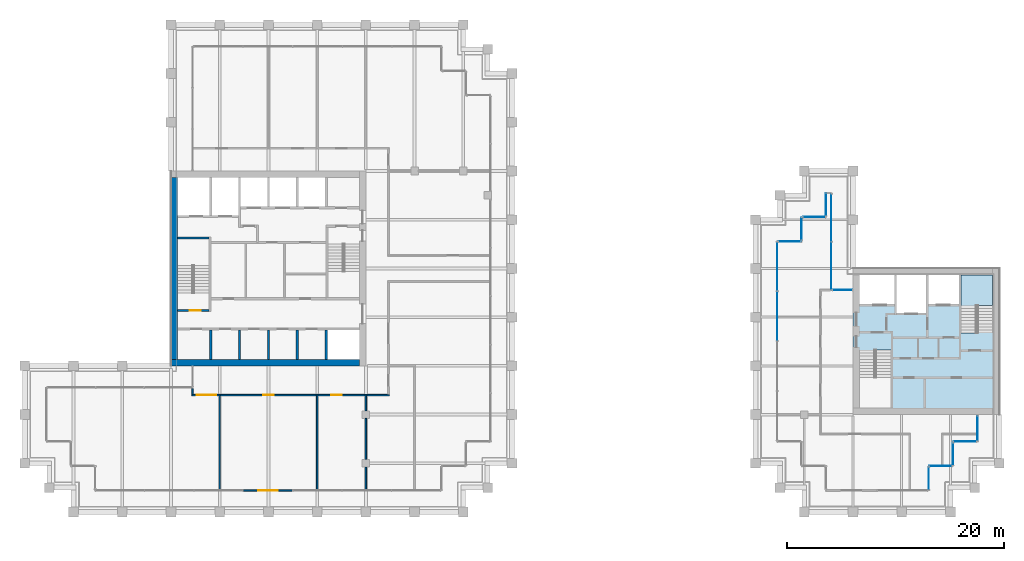
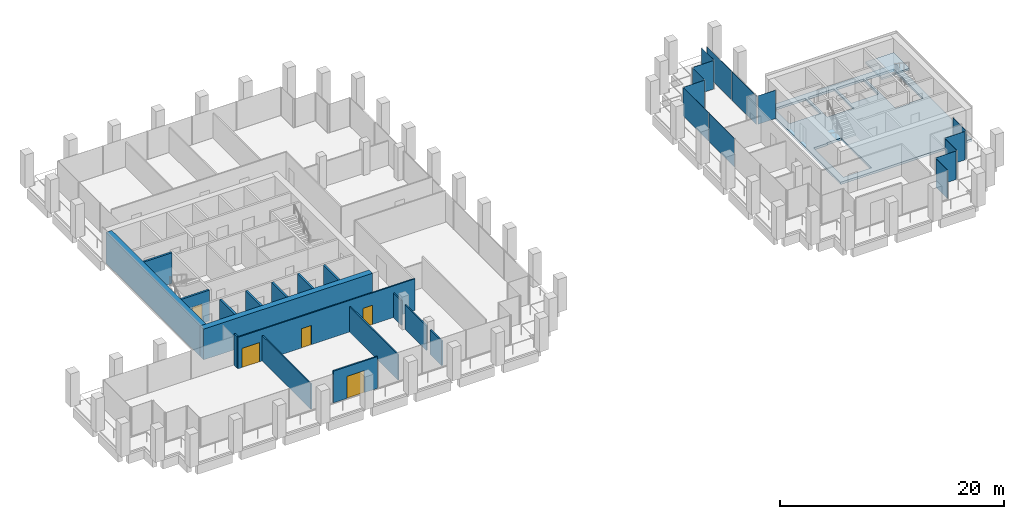
# One storey, part 35 of 40: 17 walls, 14 plates, 5 doors, 2 slabs, 5 openings, 13 elements without a shape of their own.
"""IFC4 building model written with IfcOpenShell, lengths in metres."""

from ifc_helpers import new_model, si_unit, direction, frame, frame_2d, origin, origin_2d, place, context, subcontext, project, spatial, polyline, rectangle, outline, extrude, material, layer, layer_set, type_object, element, fill, aggregate, save


model = new_model("IFC4")

# Units and contexts
model_context = context("Model", 3, precision=1e-05, world=origin(), true_north=direction((0.0, 1.0)))
body_context = subcontext(model_context, "Body", "Model", "MODEL_VIEW")
ifc_project = project(units=[si_unit("LENGTHUNIT", "METRE"), si_unit("AREAUNIT", "SQUARE_METRE"), si_unit("VOLUMEUNIT", "CUBIC_METRE"), si_unit("PLANEANGLEUNIT", "RADIAN"), si_unit("MASSUNIT", "GRAM", prefix="KILO")], contexts=[model_context])

# Site, building, storey
site_placement = place(None, origin())
site = spatial("IfcSite", under=ifc_project, at=site_placement, CompositionType="ELEMENT")
building_placement = place(site_placement, origin())
building = spatial("IfcBuilding", under=site, at=building_placement, Name="Altepetl Exchange Towers", CompositionType="ELEMENT")
storey_placement = place(building_placement, frame((0.0, 0.0, 169.0)))
storey = spatial("IfcBuildingStorey", under=building, at=storey_placement, Name="L42", CompositionType="ELEMENT", Elevation=169.0)

# Slab
ifc_material_1 = material(Name="Concrete C40/50", Category="concrete")
ifc_layer_1 = layer(ifc_material_1, 0.25)
ifc_layer_set_1 = layer_set([ifc_layer_1], Name="Concrete C40/50")
slab_type_1 = type_object("IfcSlabType", Name="Core floor slab 250", PredefinedType="FLOOR", material=ifc_layer_set_1)
slab_1_placement = place(storey_placement, frame((0.0, 0.0, -0.25)))
element("IfcSlab", 1, at=slab_1_placement, inside=storey, type_object=slab_type_1, Name="slab:B:L42:core0", PredefinedType="FLOOR", context=body_context, shape_type="SweptSolid", body=[
    extrude(outline(polyline([(103.5, 36.0), (117.0, 36.0), (117.0, 49.5), (103.5, 49.5), (103.5, 36.0)]), holes=[polyline([(107.0, 36.60009765625), (104.10009765625, 36.60009765625), (104.10009765625, 41.85009765625), (105.5, 41.85009765625), (105.5, 41.948974609375), (107.0, 41.948974609375), (107.0, 36.60009765625)]), polyline([(113.5, 48.89990234375), (116.39990234375, 48.89990234375), (116.39990234375, 43.64990234375), (115.0, 43.64990234375), (115.0, 43.551025390625), (113.5, 43.551025390625), (113.5, 48.89990234375)]), polyline([(107.532958984375, 45.39990234375), (107.532958984375, 48.89990234375), (110.26708984375, 48.89990234375), (110.26708984375, 45.39990234375), (107.532958984375, 45.39990234375)]), polyline([(104.10009765625, 48.89990234375), (107.3330078125, 48.89990234375), (107.3330078125, 46.199951171875), (104.10009765625, 46.199951171875), (104.10009765625, 48.89990234375)]), polyline([(110.467041015625, 48.89990234375), (113.300048828125, 48.89990234375), (113.300048828125, 46.199951171875), (110.467041015625, 46.199951171875), (110.467041015625, 48.89990234375)])]), origin(), (0.0, 0.0, 1.0), 0.25),
])

# Curtain wall, plate
ifc_material_2 = material(Name="Aluminium 6063-T6 glazing", Category="aluminium")
curtain_wall_type = type_object("IfcCurtainWallType", Name="Loggia glazing system", PredefinedType="NOTDEFINED", material=ifc_material_2)
curtain_wall_1_placement = place(storey_placement, origin())
curtain_wall_1 = element("IfcCurtainWall", 2, at=curtain_wall_1_placement, inside=storey, type_object=curtain_wall_type, Name="CW1 run", PredefinedType="NOTDEFINED")
ifc_material_3 = material(Name="Glass 6-16-6 low emissivity", Category="glass")
ifc_layer_2 = layer(ifc_material_3, 0.028076171875)
ifc_layer_set_2 = layer_set([ifc_layer_2], Name="Glass 6-16-6 low emissivity")
plate_type = type_object("IfcPlateType", Name="Glass panel 28 double glazed", PredefinedType="CURTAIN_PANEL", material=ifc_layer_set_2)
plate_1_placement = place(storey_placement, frame((110.5, 30.08740234375, 0.0), z_axis=(0.0, 0.0, 1.0), x_axis=(0.0, 1.0, 0.0)))
plate_1 = element("IfcPlate", 3, at=plate_1_placement, type_object=plate_type, Name="GP1 panel", PredefinedType="CURTAIN_PANEL", context=body_context, shape_type="SweptSolid", body=[
    extrude(rectangle(XDim=2.054931640625, YDim=0.028076171875, at=origin_2d()), origin(), (0.0, 0.0, 1.0), 3.10009765625),
])
aggregate(curtain_wall_1, [plate_1])

curtain_wall_2_placement = place(storey_placement, origin())
curtain_wall_2 = element("IfcCurtainWall", 4, at=curtain_wall_2_placement, inside=storey, type_object=curtain_wall_type, Name="CW1 run", PredefinedType="NOTDEFINED")
plate_2_placement = place(storey_placement, frame((111.58740234375, 31.25, 0.0)))
plate_2 = element("IfcPlate", 5, at=plate_2_placement, type_object=plate_type, Name="GP1 panel", PredefinedType="CURTAIN_PANEL", context=body_context, shape_type="SweptSolid", body=[
    extrude(rectangle(XDim=2.054931640625, YDim=0.028076171875, at=origin_2d()), origin(), (0.0, 0.0, 1.0), 3.10009765625),
])
aggregate(curtain_wall_2, [plate_2])

curtain_wall_3_placement = place(storey_placement, origin())
curtain_wall_3 = element("IfcCurtainWall", 6, at=curtain_wall_3_placement, inside=storey, type_object=curtain_wall_type, Name="CW1 run", PredefinedType="NOTDEFINED")
plate_3_placement = place(storey_placement, frame((112.75, 32.33740234375, 0.0), z_axis=(0.0, 0.0, 1.0), x_axis=(0.0, 1.0, 0.0)))
plate_3 = element("IfcPlate", 7, at=plate_3_placement, type_object=plate_type, Name="GP1 panel", PredefinedType="CURTAIN_PANEL", context=body_context, shape_type="SweptSolid", body=[
    extrude(rectangle(XDim=2.054931640625, YDim=0.028076171875, at=origin_2d()), origin(), (0.0, 0.0, 1.0), 3.10009765625),
])
aggregate(curtain_wall_3, [plate_3])

curtain_wall_4_placement = place(storey_placement, origin())
curtain_wall_4 = element("IfcCurtainWall", 8, at=curtain_wall_4_placement, inside=storey, type_object=curtain_wall_type, Name="CW1 run", PredefinedType="NOTDEFINED")
plate_4_placement = place(storey_placement, frame((113.83740234375, 33.5, 0.0)))
plate_4 = element("IfcPlate", 9, at=plate_4_placement, type_object=plate_type, Name="GP1 panel", PredefinedType="CURTAIN_PANEL", context=body_context, shape_type="SweptSolid", body=[
    extrude(rectangle(XDim=2.054931640625, YDim=0.028076171875, at=origin_2d()), origin(), (0.0, 0.0, 1.0), 3.10009765625),
])
aggregate(curtain_wall_4, [plate_4])

curtain_wall_5_placement = place(storey_placement, origin())
curtain_wall_5 = element("IfcCurtainWall", 10, at=curtain_wall_5_placement, inside=storey, type_object=curtain_wall_type, Name="CW1 run", PredefinedType="NOTDEFINED")
plate_5_placement = place(storey_placement, frame((115.0, 34.71240234375, 0.0), z_axis=(0.0, 0.0, 1.0), x_axis=(0.0, 1.0, 0.0)))
plate_5 = element("IfcPlate", 11, at=plate_5_placement, type_object=plate_type, Name="GP1 panel", PredefinedType="CURTAIN_PANEL", context=body_context, shape_type="SweptSolid", body=[
    extrude(rectangle(XDim=2.304931640625, YDim=0.028076171875, at=origin_2d()), origin(), (0.0, 0.0, 1.0), 3.10009765625),
])
aggregate(curtain_wall_5, [plate_5])

curtain_wall_6_placement = place(storey_placement, origin())
curtain_wall_6 = element("IfcCurtainWall", 12, at=curtain_wall_6_placement, inside=storey, type_object=curtain_wall_type, Name="CW1 run", PredefinedType="NOTDEFINED")
plate_6_placement = place(storey_placement, frame((102.53759765625, 47.5, 0.0), z_axis=(0.0, 0.0, 1.0), x_axis=(-1.0, 0.0, 0.0)))
plate_6 = element("IfcPlate", 13, at=plate_6_placement, type_object=plate_type, Name="GP1 panel", PredefinedType="CURTAIN_PANEL", context=body_context, shape_type="SweptSolid", body=[
    extrude(rectangle(XDim=1.804931640625, YDim=0.028076171875, at=origin_2d()), origin(), (0.0, 0.0, 1.0), 3.10009765625),
])
aggregate(curtain_wall_6, [plate_6])

# Curtain wall, plates
curtain_wall_7_placement = place(storey_placement, origin())
curtain_wall_7 = element("IfcCurtainWall", 14, at=curtain_wall_7_placement, inside=storey, type_object=curtain_wall_type, Name="CW1 run", PredefinedType="NOTDEFINED")
plate_7_placement = place(storey_placement, frame((101.5, 49.746337890625, 0.0), z_axis=(0.0, 0.0, 1.0), x_axis=(0.0, 1.0, 0.0)))
plate_7 = element("IfcPlate", 15, at=plate_7_placement, type_object=plate_type, Name="GP1 panel", PredefinedType="CURTAIN_PANEL", context=body_context, shape_type="SweptSolid", body=[
    extrude(rectangle(XDim=4.37255859375, YDim=0.028076171875, at=origin_2d()), origin(), (0.0, 0.0, 1.0), 3.10009765625),
])
plate_8_placement = place(storey_placement, frame((101.5, 54.1787109375, 0.0), z_axis=(0.0, 0.0, 1.0), x_axis=(0.0, 1.0, 0.0)))
plate_8 = element("IfcPlate", 16, at=plate_8_placement, type_object=plate_type, Name="GP1 panel", PredefinedType="CURTAIN_PANEL", context=body_context, shape_type="SweptSolid", body=[
    extrude(rectangle(XDim=4.37255859375, YDim=0.028076171875, at=origin_2d()), origin(), (0.0, 0.0, 1.0), 3.10009765625),
])
aggregate(curtain_wall_7, [plate_7, plate_8])

# Curtain wall, plate
curtain_wall_8_placement = place(storey_placement, origin())
curtain_wall_8 = element("IfcCurtainWall", 17, at=curtain_wall_8_placement, inside=storey, type_object=curtain_wall_type, Name="CW1 run", PredefinedType="NOTDEFINED")
plate_9_placement = place(storey_placement, frame((101.0, 55.41259765625, 0.0), z_axis=(0.0, 0.0, 1.0), x_axis=(0.0, -1.0, 0.0)))
plate_9 = element("IfcPlate", 18, at=plate_9_placement, type_object=plate_type, Name="GP1 panel", PredefinedType="CURTAIN_PANEL", context=body_context, shape_type="SweptSolid", body=[
    extrude(rectangle(XDim=2.054931640625, YDim=0.028076171875, at=origin_2d()), origin(), (0.0, 0.0, 1.0), 3.10009765625),
])
aggregate(curtain_wall_8, [plate_9])

curtain_wall_9_placement = place(storey_placement, origin())
curtain_wall_9 = element("IfcCurtainWall", 19, at=curtain_wall_9_placement, inside=storey, type_object=curtain_wall_type, Name="CW1 run", PredefinedType="NOTDEFINED")
plate_10_placement = place(storey_placement, frame((99.91259765625, 54.25, 0.0), z_axis=(0.0, 0.0, 1.0), x_axis=(-1.0, 0.0, 0.0)))
plate_10 = element("IfcPlate", 20, at=plate_10_placement, type_object=plate_type, Name="GP1 panel", PredefinedType="CURTAIN_PANEL", context=body_context, shape_type="SweptSolid", body=[
    extrude(rectangle(XDim=2.054931640625, YDim=0.028076171875, at=origin_2d()), origin(), (0.0, 0.0, 1.0), 3.10009765625),
])
aggregate(curtain_wall_9, [plate_10])

curtain_wall_10_placement = place(storey_placement, origin())
curtain_wall_10 = element("IfcCurtainWall", 21, at=curtain_wall_10_placement, inside=storey, type_object=curtain_wall_type, Name="CW1 run", PredefinedType="NOTDEFINED")
plate_11_placement = place(storey_placement, frame((98.75, 53.16259765625, 0.0), z_axis=(0.0, 0.0, 1.0), x_axis=(0.0, -1.0, 0.0)))
plate_11 = element("IfcPlate", 22, at=plate_11_placement, type_object=plate_type, Name="GP1 panel", PredefinedType="CURTAIN_PANEL", context=body_context, shape_type="SweptSolid", body=[
    extrude(rectangle(XDim=2.054931640625, YDim=0.028076171875, at=origin_2d()), origin(), (0.0, 0.0, 1.0), 3.10009765625),
])
aggregate(curtain_wall_10, [plate_11])

curtain_wall_11_placement = place(storey_placement, origin())
curtain_wall_11 = element("IfcCurtainWall", 23, at=curtain_wall_11_placement, inside=storey, type_object=curtain_wall_type, Name="CW1 run", PredefinedType="NOTDEFINED")
plate_12_placement = place(storey_placement, frame((97.66259765625, 52.0, 0.0), z_axis=(0.0, 0.0, 1.0), x_axis=(-1.0, 0.0, 0.0)))
plate_12 = element("IfcPlate", 24, at=plate_12_placement, type_object=plate_type, Name="GP1 panel", PredefinedType="CURTAIN_PANEL", context=body_context, shape_type="SweptSolid", body=[
    extrude(rectangle(XDim=2.054931640625, YDim=0.028076171875, at=origin_2d()), origin(), (0.0, 0.0, 1.0), 3.10009765625),
])
aggregate(curtain_wall_11, [plate_12])

# Curtain wall, plates
curtain_wall_12_placement = place(storey_placement, origin())
curtain_wall_12 = element("IfcCurtainWall", 25, at=curtain_wall_12_placement, inside=storey, type_object=curtain_wall_type, Name="CW1 run", PredefinedType="NOTDEFINED")
plate_13_placement = place(storey_placement, frame((96.5, 49.681884765625, 0.0), z_axis=(0.0, 0.0, 1.0), x_axis=(0.0, -1.0, 0.0)))
plate_13 = element("IfcPlate", 26, at=plate_13_placement, type_object=plate_type, Name="GP1 panel", PredefinedType="CURTAIN_PANEL", context=body_context, shape_type="SweptSolid", body=[
    extrude(rectangle(XDim=4.516357421875, YDim=0.028076171875, at=origin_2d()), origin(), (0.0, 0.0, 1.0), 3.10009765625),
])
plate_14_placement = place(storey_placement, frame((96.5, 45.090576171875, 0.0), z_axis=(0.0, 0.0, 1.0), x_axis=(0.0, -1.0, 0.0)))
plate_14 = element("IfcPlate", 27, at=plate_14_placement, type_object=plate_type, Name="GP1 panel", PredefinedType="CURTAIN_PANEL", context=body_context, shape_type="SweptSolid", body=[
    extrude(rectangle(XDim=4.546142578125, YDim=0.028076171875, at=origin_2d()), origin(), (0.0, 0.0, 1.0), 3.10009765625),
])
aggregate(curtain_wall_12, [plate_13, plate_14])

# Stair, slab
stair_type = type_object("IfcStairType", Name="Exit stair 1400 flights dogleg", PredefinedType="HALF_TURN_STAIR", material=ifc_material_1)
stair_placement = place(storey_placement, origin())
stair = element("IfcStair", 28, at=stair_placement, inside=storey, type_object=stair_type, Name="Exit stair 2", PredefinedType="HALF_TURN_STAIR")
ifc_layer_3 = layer(ifc_material_1, 0.199951171875)
ifc_layer_set_3 = layer_set([ifc_layer_3], Name="Concrete C40/50")
slab_type_2 = type_object("IfcSlabType", Name="Stair landing 200 reinforced concrete", PredefinedType="LANDING", material=ifc_layer_set_3)
slab_2_placement = place(storey_placement, frame((0.0, 0.0, 1.60009765625)))
slab_2 = element("IfcSlab", 29, at=slab_2_placement, type_object=slab_type_2, Name="ST-B2e landing 1", PredefinedType="LANDING", context=body_context, shape_type="SweptSolid", body=[
    extrude(outline(polyline([(114.89990234375, 45.969970703125), (113.5, 45.969970703125), (113.5, 46.070068359375), (113.5, 48.89990234375), (116.39990234375, 48.89990234375), (116.39990234375, 46.070068359375), (116.39990234375, 46.0693359375), (115.0, 46.0693359375), (115.0, 46.070068359375), (114.89990234375, 46.070068359375), (114.89990234375, 45.969970703125)])), origin(), (0.0, 0.0, 1.0), 0.199951171875),
])
aggregate(stair, [slab_2])

# Walls
ifc_material_4 = material(Name="Concrete C70/85", Category="concrete")
ifc_layer_4 = layer(ifc_material_4, 0.60009765625)
ifc_layer_set_4 = layer_set([ifc_layer_4], Name="Concrete C70/85")
wall_type_1 = type_object("IfcWallType", Name="Core wall 600 reinforced concrete", PredefinedType="SHEAR", material=ifc_layer_set_4)
wall_1_placement = place(storey_placement, frame((40.5, 40.800048828125, 0.0)))
element("IfcWall", 30, at=wall_1_placement, inside=storey, type_object=wall_type_1, Name="wall:A:L42:K-coreS", PredefinedType="SHEAR", context=body_context, shape_type="SweptSolid", body=[
    extrude(rectangle(XDim=17.39990234375, YDim=0.60009765625, at=frame_2d((8.699951171875, 0.0))), origin(), (0.0, 0.0, 1.0), 3.35009765625),
])
ifc_layer_5 = layer(ifc_material_4, 0.60009765625)
ifc_layer_set_5 = layer_set([ifc_layer_5], Name="Concrete C70/85")
wall_type_2 = type_object("IfcWallType", Name="Core wall 600 reinforced concrete external", PredefinedType="SHEAR", material=ifc_layer_set_5)
wall_2_placement = place(storey_placement, frame((40.800048828125, 41.10009765625, 0.0), z_axis=(0.0, 0.0, 1.0), x_axis=(0.0, 1.0, 0.0)))
element("IfcWall", 31, at=wall_2_placement, inside=storey, type_object=wall_type_2, Name="wall:A:L42:K-coreW", PredefinedType="SHEAR", context=body_context, shape_type="SweptSolid", body=[
    extrude(rectangle(XDim=16.7998046875, YDim=0.60009765625, at=frame_2d((8.39990234375, 0.0))), origin(), (0.0, 0.0, 1.0), 3.35009765625),
])

# Wall, opening, door
ifc_material_5 = material(Name="Aluminium composite cladding", Category="aluminium")
ifc_layer_6 = layer(ifc_material_5, 0.14990234375)
ifc_layer_set_6 = layer_set([ifc_layer_6], Name="Aluminium composite cladding")
wall_type_3 = type_object("IfcWallType", Name="Infill wall 150 aluminium panel", PredefinedType="SOLIDWALL", material=ifc_layer_set_6)
wall_3_placement = place(storey_placement, frame((47.18212890625, 29.0, 0.0)))
wall_3 = element("IfcWall", 32, at=wall_3_placement, inside=storey, type_object=wall_type_3, Name="Loggia door bay wall", PredefinedType="SOLIDWALL", context=body_context, shape_type="SweptSolid", body=[
    extrude(rectangle(XDim=4.560791015625, YDim=0.14990234375, at=frame_2d((2.2802734375, 0.0))), origin(), (0.0, 0.0, 1.0), 3.449951171875),
])
opening_1_placement = place(wall_3_placement, frame((1.38037109375, 0.0, 0.0)))
opening_1 = element("IfcOpeningElement", 33, at=opening_1_placement, cuts=wall_3, Name="Opening L42.A90", PredefinedType="OPENING", context=body_context, shape_type="SweptSolid", body=[
    extrude(rectangle(XDim=1.800048828125, YDim=2.39990234375, at=frame_2d((0.89990234375, 1.199951171875))), frame((0.0, 0.0849609375, 0.0), z_axis=(0.0, -1.0, 0.0), x_axis=(1.0, 0.0, 0.0)), (0.0, 0.0, 1.0), 0.169921875),
])
ifc_material_6 = material(Name="Aluminium 6063-T6 and glass", Category="aluminium")
door_type_1 = type_object("IfcDoorType", Name="Glazed door pair 1800x2400", OperationType="DOUBLE_DOOR_DOUBLE_SWING", PredefinedType="NOTDEFINED", material=ifc_material_6)
door_1_placement = place(opening_1_placement, frame((1.800048828125, 0.0, 0.0), x_axis=(-1.0, 0.0, 0.0)))
door_1 = element("IfcDoor", 34, at=door_1_placement, inside=storey, type_object=door_type_1, Name="Loggia door", OperationType="DOUBLE_DOOR_DOUBLE_SWING", OverallHeight=2.39990234375, OverallWidth=1.800048828125, PredefinedType="NOTDEFINED", context=body_context, shape_type="SweptSolid", body=[
    extrude(rectangle(XDim=1.800048828125, YDim=2.39990234375, at=frame_2d((0.89990234375, 1.199951171875))), frame((0.0, 0.02490234375, 0.0), z_axis=(0.0, -1.0, 0.0), x_axis=(1.0, 0.0, 0.0)), (0.0, 0.0, 1.0), 0.050048828125),
])
fill(opening_1, door_1)

# Wall, openings, doors
ifc_material_7 = material(Name="Gypsum board on steel studs", Category="steel")
ifc_layer_7 = layer(ifc_material_7, 0.125)
ifc_layer_set_7 = layer_set([ifc_layer_7], Name="Gypsum board on steel studs")
wall_type_4 = type_object("IfcWallType", Name="Partition 125 gypsum board on steel studs", PredefinedType="PARTITIONING", material=ifc_layer_set_7)
wall_4_placement = place(storey_placement, frame((42.4375, 37.800048828125, 0.0)))
wall_4 = element("IfcWall", 35, at=wall_4_placement, inside=storey, type_object=wall_type_4, Name="wall:A:L42:P01", PredefinedType="PARTITIONING", context=body_context, shape_type="SweptSolid", body=[
    extrude(rectangle(XDim=18.22509765625, YDim=0.125, at=frame_2d((9.112548828125, 0.0))), origin(), (0.0, 0.0, 1.0), 3.449951171875),
])
opening_2_placement = place(wall_4_placement, frame((6.5625, 0.0, 0.0)))
opening_2 = element("IfcOpeningElement", 36, at=opening_2_placement, cuts=wall_4, Name="Opening L42.A01", PredefinedType="OPENING", context=body_context, shape_type="SweptSolid", body=[
    extrude(rectangle(XDim=1.0, YDim=2.10009765625, at=frame_2d((0.5, 1.050048828125))), frame((0.0, 0.072509765625, 0.0), z_axis=(0.0, -1.0, 0.0), x_axis=(1.0, 0.0, 0.0)), (0.0, 0.0, 1.0), 0.14501953125),
])
opening_3_placement = place(wall_4_placement, frame((12.857421875, 0.0, 0.0)))
opening_3 = element("IfcOpeningElement", 37, at=opening_3_placement, cuts=wall_4, Name="Opening L42.A02", PredefinedType="OPENING", context=body_context, shape_type="SweptSolid", body=[
    extrude(rectangle(XDim=1.0, YDim=2.10009765625, at=frame_2d((0.5, 1.050048828125))), frame((0.0, 0.072509765625, 0.0), z_axis=(0.0, -1.0, 0.0), x_axis=(1.0, 0.0, 0.0)), (0.0, 0.0, 1.0), 0.14501953125),
])
opening_4_placement = place(wall_4_placement, frame((0.429443359375, 0.0, 0.0)))
opening_4 = element("IfcOpeningElement", 38, at=opening_4_placement, cuts=wall_4, Name="Opening L42.A03", PredefinedType="OPENING", context=body_context, shape_type="SweptSolid", body=[
    extrude(rectangle(XDim=1.800048828125, YDim=2.10009765625, at=frame_2d((0.89990234375, 1.050048828125))), frame((0.0, 0.072509765625, 0.0), z_axis=(0.0, -1.0, 0.0), x_axis=(1.0, 0.0, 0.0)), (0.0, 0.0, 1.0), 0.14501953125),
])
ifc_material_8 = material(Name="Steel and timber fire door", Category="steel")
door_type_2 = type_object("IfcDoorType", Name="Fire door 1000 x 2100 single leaf", OperationType="SINGLE_SWING_LEFT", PredefinedType="DOOR", material=ifc_material_8)
door_2_placement = place(opening_2_placement, frame((1.0, 0.0, 0.0), x_axis=(-1.0, 0.0, 0.0)))
door_2 = element("IfcDoor", 39, at=door_2_placement, inside=storey, type_object=door_type_2, Name="door:A:L42:01", OperationType="SINGLE_SWING_LEFT", OverallHeight=2.10009765625, OverallWidth=1.0, PredefinedType="DOOR", context=body_context, shape_type="SweptSolid", body=[
    extrude(rectangle(XDim=1.0, YDim=2.10009765625, at=frame_2d((0.5, 1.050048828125))), frame((0.0, 0.02490234375, 0.0), z_axis=(0.0, -1.0, 0.0), x_axis=(1.0, 0.0, 0.0)), (0.0, 0.0, 1.0), 0.050048828125),
])
fill(opening_2, door_2)
door_3_placement = place(opening_3_placement, frame((1.0, 0.0, 0.0), x_axis=(-1.0, 0.0, 0.0)))
door_3 = element("IfcDoor", 40, at=door_3_placement, inside=storey, type_object=door_type_2, Name="door:A:L42:02", OperationType="SINGLE_SWING_RIGHT", OverallHeight=2.10009765625, OverallWidth=1.0, PredefinedType="DOOR", context=body_context, shape_type="SweptSolid", body=[
    extrude(rectangle(XDim=1.0, YDim=2.10009765625, at=frame_2d((0.5, 1.050048828125))), frame((0.0, 0.02490234375, 0.0), z_axis=(0.0, -1.0, 0.0), x_axis=(1.0, 0.0, 0.0)), (0.0, 0.0, 1.0), 0.050048828125),
])
fill(opening_3, door_3)
door_type_3 = type_object("IfcDoorType", Name="Fire door 1800 x 2100 double leaf", OperationType="DOUBLE_DOOR_SINGLE_SWING", PredefinedType="DOOR", material=ifc_material_8)
door_4_placement = place(opening_4_placement, frame((1.800048828125, 0.0, 0.0), x_axis=(-1.0, 0.0, 0.0)))
door_4 = element("IfcDoor", 41, at=door_4_placement, inside=storey, type_object=door_type_3, Name="door:A:L42:03", OperationType="DOUBLE_DOOR_SINGLE_SWING", OverallHeight=2.10009765625, OverallWidth=1.800048828125, PredefinedType="DOOR", context=body_context, shape_type="SweptSolid", body=[
    extrude(rectangle(XDim=1.800048828125, YDim=2.10009765625, at=frame_2d((0.89990234375, 1.050048828125))), frame((0.0, 0.02490234375, 0.0), z_axis=(0.0, -1.0, 0.0), x_axis=(1.0, 0.0, 0.0)), (0.0, 0.0, 1.0), 0.050048828125),
])
fill(opening_4, door_4)

# Walls
wall_5_placement = place(storey_placement, frame((42.5, 37.862548828125, 0.0), z_axis=(0.0, 0.0, 1.0), x_axis=(0.0, 1.0, 0.0)))
element("IfcWall", 42, at=wall_5_placement, inside=storey, type_object=wall_type_4, Name="wall:A:L42:P09", PredefinedType="PARTITIONING", context=body_context, shape_type="SweptSolid", body=[
    extrude(rectangle(XDim=0.537353515625, YDim=0.125, at=frame_2d((0.2685546875, 0.0))), origin(), (0.0, 0.0, 1.0), 3.449951171875),
])
for number, where, z_axis, x_axis, name in (
    (43, (45.0, 29.10009765625, 0.0), (0.0, 0.0, 1.0), (0.0, 1.0, 0.0), "wall:A:L42:P10"),
    (44, (54.0, 29.10009765625, 0.0), (0.0, 0.0, 1.0), (0.0, 1.0, 0.0), "wall:A:L42:P12"),
):
    element("IfcWall", number, at=place(storey_placement, frame(where, z_axis=z_axis, x_axis=x_axis)), inside=storey, type_object=wall_type_4, Name=name, PredefinedType="PARTITIONING", context=body_context, shape_type="SweptSolid", body=[
        extrude(rectangle(XDim=8.699951171875, YDim=0.125, at=frame_2d((4.35009765625, 0.0))), origin(), (0.0, 0.0, 1.0), 2.76611328125),
    ])
wall_6_placement = place(storey_placement, frame((58.5, 29.10009765625, 0.0), z_axis=(0.0, 0.0, 1.0), x_axis=(0.0, 1.0, 0.0)))
element("IfcWall", 45, at=wall_6_placement, inside=storey, type_object=wall_type_4, Name="wall:A:L42:P14", PredefinedType="PARTITIONING", context=body_context, shape_type="SweptSolid", body=[
    extrude(rectangle(XDim=2.0498046875, YDim=0.125, at=frame_2d((1.02490234375, 0.0))), origin(), (0.0, 0.0, 1.0), 2.676025390625),
])
wall_7_placement = place(storey_placement, frame((58.5, 31.85009765625, 0.0), z_axis=(0.0, 0.0, 1.0), x_axis=(0.0, 1.0, 0.0)))
element("IfcWall", 46, at=wall_7_placement, inside=storey, type_object=wall_type_4, Name="wall:A:L42:P15", PredefinedType="PARTITIONING", context=body_context, shape_type="SweptSolid", body=[
    extrude(rectangle(XDim=3.7998046875, YDim=0.125, at=frame_2d((1.89990234375, 0.0))), origin(), (0.0, 0.0, 1.0), 2.676025390625),
])
wall_8_placement = place(storey_placement, frame((58.5, 36.35009765625, 0.0), z_axis=(0.0, 0.0, 1.0), x_axis=(0.0, 1.0, 0.0)))
element("IfcWall", 47, at=wall_8_placement, inside=storey, type_object=wall_type_4, Name="wall:A:L42:P16", PredefinedType="PARTITIONING", context=body_context, shape_type="SweptSolid", body=[
    extrude(rectangle(XDim=1.449951171875, YDim=0.125, at=frame_2d((0.72509765625, 0.0))), origin(), (0.0, 0.0, 1.0), 2.676025390625),
])
ifc_layer_8 = layer(ifc_material_1, 0.199951171875)
ifc_layer_set_8 = layer_set([ifc_layer_8], Name="Concrete C40/50")
wall_type_5 = type_object("IfcWallType", Name="Shaft wall 200 reinforced concrete", PredefinedType="SHEAR", material=ifc_layer_set_8)
wall_9_placement = place(storey_placement, frame((54.833251953125, 41.10009765625, 0.0), z_axis=(0.0, 0.0, 1.0), x_axis=(0.0, 1.0, 0.0)))
element("IfcWall", 48, at=wall_9_placement, inside=storey, type_object=wall_type_5, Name="wall:A:L42:K-divS5", PredefinedType="SHEAR", context=body_context, shape_type="SweptSolid", body=[
    extrude(rectangle(XDim=2.699951171875, YDim=0.199951171875, at=frame_2d((1.35009765625, 0.0))), origin(), (0.0, 0.0, 1.0), 3.35009765625),
])
ifc_layer_9 = layer(ifc_material_4, 0.199951171875)
ifc_layer_set_9 = layer_set([ifc_layer_9], Name="Concrete C70/85")
wall_type_6 = type_object("IfcWallType", Name="Shear wall 200 reinforced concrete", PredefinedType="SHEAR", material=ifc_layer_set_9)
for number, where, z_axis, x_axis, name in (
    (49, (44.166748046875, 41.10009765625, 0.0), (0.0, 0.0, 1.0), (0.0, 1.0, 0.0), "wall:A:L42:K-divS1"),
    (50, (46.833251953125, 41.10009765625, 0.0), (0.0, 0.0, 1.0), (0.0, 1.0, 0.0), "wall:A:L42:K-divS2"),
    (51, (49.5, 41.10009765625, 0.0), (0.0, 0.0, 1.0), (0.0, 1.0, 0.0), "wall:A:L42:K-divS3"),
    (52, (52.166748046875, 41.10009765625, 0.0), (0.0, 0.0, 1.0), (0.0, 1.0, 0.0), "wall:A:L42:K-divS4"),
):
    element("IfcWall", number, at=place(storey_placement, frame(where, z_axis=z_axis, x_axis=x_axis)), inside=storey, type_object=wall_type_6, Name=name, PredefinedType="SHEAR", context=body_context, shape_type="SweptSolid", body=[
        extrude(rectangle(XDim=2.699951171875, YDim=0.199951171875, at=frame_2d((1.35009765625, 0.0))), origin(), (0.0, 0.0, 1.0), 3.35009765625),
    ])
ifc_layer_10 = layer(ifc_material_1, 0.199951171875)
ifc_layer_set_10 = layer_set([ifc_layer_10], Name="Concrete C40/50")
wall_type_7 = type_object("IfcWallType", Name="Stair wall 200 reinforced concrete", PredefinedType="SHEAR", material=ifc_layer_set_10)
wall_10_placement = place(storey_placement, frame((41.10009765625, 52.300048828125, 0.0)))
element("IfcWall", 53, at=wall_10_placement, inside=storey, type_object=wall_type_7, Name="wall:A:L42:K-stS1N", PredefinedType="SHEAR", context=body_context, shape_type="SweptSolid", body=[
    extrude(rectangle(XDim=2.89990234375, YDim=0.199951171875, at=frame_2d((1.449951171875, 0.0))), origin(), (0.0, 0.0, 1.0), 3.35009765625),
])

# Wall, opening, door
wall_11_placement = place(storey_placement, frame((41.10009765625, 45.60009765625, 0.0)))
wall_11 = element("IfcWall", 54, at=wall_11_placement, inside=storey, type_object=wall_type_7, Name="wall:A:L42:K-stS1S", PredefinedType="SHEAR", context=body_context, shape_type="SweptSolid", body=[
    extrude(rectangle(XDim=2.89990234375, YDim=0.199951171875, at=frame_2d((1.449951171875, 0.0))), origin(), (0.0, 0.0, 1.0), 3.35009765625),
])
opening_5_placement = place(wall_11_placement, frame((1.14990234375, 0.0, 0.0)))
opening_5 = element("IfcOpeningElement", 55, at=opening_5_placement, cuts=wall_11, Name="Opening L42.A62", PredefinedType="OPENING", context=body_context, shape_type="SweptSolid", body=[
    extrude(rectangle(XDim=1.0, YDim=2.10009765625, at=frame_2d((0.5, 1.050048828125))), frame((0.0, 0.10986328125, 0.0), z_axis=(0.0, -1.0, 0.0), x_axis=(1.0, 0.0, 0.0)), (0.0, 0.0, 1.0), 0.219970703125),
])
door_type_4 = type_object("IfcDoorType", Name="Fire door 1000 x 2100 stair and lobby", OperationType="SINGLE_SWING_LEFT", PredefinedType="DOOR", material=ifc_material_8)
door_5_placement = place(opening_5_placement, origin())
door_5 = element("IfcDoor", 56, at=door_5_placement, inside=storey, type_object=door_type_4, Name="door:A:L42:K-dS1in", OperationType="SINGLE_SWING_RIGHT", OverallHeight=2.10009765625, OverallWidth=1.0, PredefinedType="DOOR", context=body_context, shape_type="SweptSolid", body=[
    extrude(rectangle(XDim=1.0, YDim=2.10009765625, at=frame_2d((0.5, 1.050048828125))), frame((0.0, 0.02490234375, 0.0), z_axis=(0.0, -1.0, 0.0), x_axis=(1.0, 0.0, 0.0)), (0.0, 0.0, 1.0), 0.050048828125),
])
fill(opening_5, door_5)

save(model, "model.ifc")
